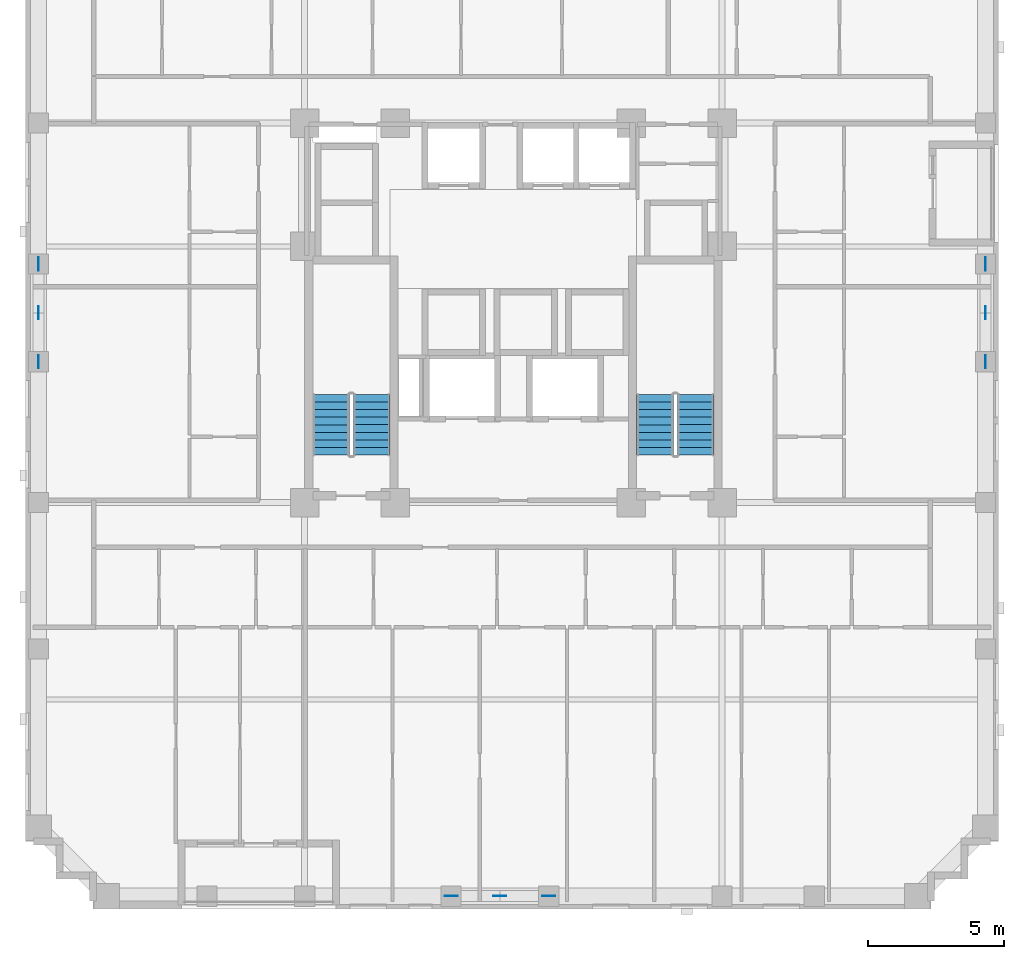
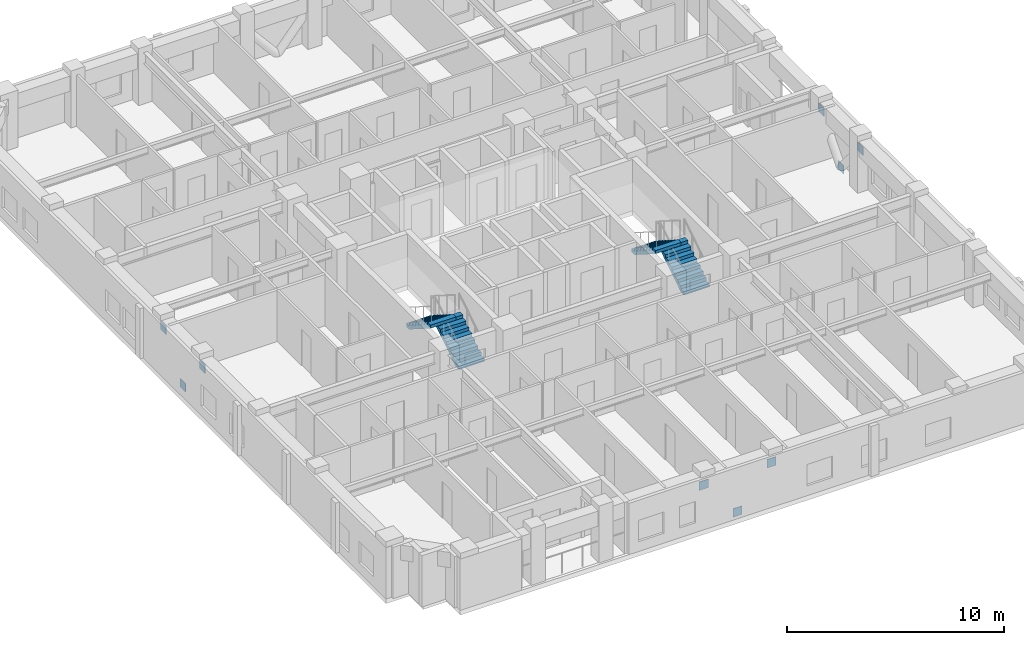
# One storey, part 9 of 12: 9 discrete accessories, 4 stair flights, 2 elements without a shape of their own.
"""IFC4 building model written with IfcOpenShell, lengths in metres."""

from ifc_helpers import new_model, si_unit, derived_unit, direction, frame, origin, origin_2d, place, context, subcontext, project, spatial, polyline, rectangle, outline, extrude, material, layer, layer_set, type_object, element, aggregate, save


model = new_model("IFC4")

# Units and contexts
model_context = context("Model", 3, precision=1e-05, world=origin(), true_north=direction((0.0, 1.0)))
body_context = subcontext(model_context, "Body", "Model", "MODEL_VIEW")
ifc_project = project(units=[si_unit("LENGTHUNIT", "METRE"), si_unit("AREAUNIT", "SQUARE_METRE"), si_unit("VOLUMEUNIT", "CUBIC_METRE"), si_unit("PLANEANGLEUNIT", "RADIAN"), si_unit("MASSUNIT", "GRAM", prefix="KILO"), derived_unit("THERMALTRANSMITTANCEUNIT", [(si_unit("MASSUNIT", "GRAM", prefix="KILO"), 1), (si_unit("TIMEUNIT", "SECOND"), -3), (si_unit("THERMODYNAMICTEMPERATUREUNIT", "KELVIN"), -1)])], contexts=[model_context])

# Site, building, storey
site_placement = place(None, origin())
site = spatial("IfcSite", under=ifc_project, at=site_placement, CompositionType="ELEMENT")
building_placement = place(site_placement, origin())
building = spatial("IfcBuilding", under=site, at=building_placement, Name="Korrvale Station Residences", CompositionType="ELEMENT")
storey_placement = place(building_placement, frame((0.0, 0.0, 116.699951171875)))
storey = spatial("IfcBuildingStorey", under=building, at=storey_placement, Name="L33", CompositionType="ELEMENT", Elevation=116.699951171875)

# Stair, stair flights
ifc_material_1 = material(Name="Concrete C50/60", Category="concrete")
stair_type = type_object("IfcStairType", Name="STR-DL-1350-18R-1778", PredefinedType="HALF_TURN_STAIR", material=ifc_material_1)
stair_1_placement = place(storey_placement, origin())
stair_1 = element("IfcStair", 1, at=stair_1_placement, inside=storey, type_object=stair_type, Name="L33 Exit Stair 1", PredefinedType="HALF_TURN_STAIR")
stair_flight_type = type_object("IfcStairFlightType", Name="FLT-DL-1350-18R-1778", PredefinedType="STRAIGHT", material=ifc_material_1)
stair_flight_1_placement = place(storey_placement, frame((20.27490234375, 16.75, 0.0), z_axis=(0.0, 0.0, 1.0), x_axis=(0.0, 1.0, 0.0)))
stair_flight_1 = element("IfcStairFlight", 2, at=stair_flight_1_placement, type_object=stair_flight_type, Name="ST-1 flight 1", NumberOfRisers=9, NumberOfTreads=8, PredefinedType="STRAIGHT", RiserHeight=0.177777778, TreadLength=0.28, context=body_context, shape_type="SweptSolid", body=[
    extrude(outline(polyline([(0.0, 0.0), (0.0, 0.177734375), (0.280029296875, 0.177734375), (0.280029296875, 0.35546875), (0.56005859375, 0.35546875), (0.56005859375, 0.533447265625), (0.840087890625, 0.533447265625), (0.840087890625, 0.711181640625), (1.1201171875, 0.711181640625), (1.1201171875, 0.888916015625), (1.39990234375, 0.888916015625), (1.39990234375, 1.066650390625), (1.679931640625, 1.066650390625), (1.679931640625, 1.244384765625), (1.9599609375, 1.244384765625), (1.9599609375, 1.422119140625), (2.239990234375, 1.422119140625), (2.239990234375, 1.60009765625), (2.239990234375, 1.24462890625), (0.27978515625, 0.0), (0.0, 0.0)])), frame((0.0, 0.675048828125, 0.0), z_axis=(0.0, -1.0, 0.0), x_axis=(1.0, 0.0, 0.0)), (0.0, 0.0, 1.0), 1.35009765625),
])
stair_flight_2_placement = place(storey_placement, frame((18.77490234375, 18.989990234375, 1.60009765625), z_axis=(0.0, 0.0, 1.0), x_axis=(0.0, -1.0, 0.0)))
stair_flight_2 = element("IfcStairFlight", 3, at=stair_flight_2_placement, type_object=stair_flight_type, Name="ST-1 flight 2", NumberOfRisers=9, NumberOfTreads=8, PredefinedType="STRAIGHT", RiserHeight=0.177777778, TreadLength=0.28, context=body_context, shape_type="SweptSolid", body=[
    extrude(outline(polyline([(0.0, 0.0), (0.0, 0.177734375), (0.280029296875, 0.177734375), (0.280029296875, 0.35546875), (0.56005859375, 0.35546875), (0.56005859375, 0.533447265625), (0.840087890625, 0.533447265625), (0.840087890625, 0.711181640625), (1.1201171875, 0.711181640625), (1.1201171875, 0.888916015625), (1.39990234375, 0.888916015625), (1.39990234375, 1.066650390625), (1.679931640625, 1.066650390625), (1.679931640625, 1.244384765625), (1.9599609375, 1.244384765625), (1.9599609375, 1.422119140625), (2.239990234375, 1.422119140625), (2.239990234375, 1.60009765625), (2.239990234375, 1.24462890625), (0.27978515625, 0.0), (0.0, 0.0)])), frame((0.0, 0.675048828125, 0.0), z_axis=(0.0, -1.0, 0.0), x_axis=(1.0, 0.0, 0.0)), (0.0, 0.0, 1.0), 1.35009765625),
])
aggregate(stair_1, [stair_flight_1, stair_flight_2])

stair_2_placement = place(storey_placement, origin())
stair_2 = element("IfcStair", 4, at=stair_2_placement, inside=storey, type_object=stair_type, Name="L33 Exit Stair 2", PredefinedType="HALF_TURN_STAIR")
stair_flight_3_placement = place(storey_placement, frame((32.22509765625, 16.75, 0.0), z_axis=(0.0, 0.0, 1.0), x_axis=(0.0, 1.0, 0.0)))
stair_flight_3 = element("IfcStairFlight", 5, at=stair_flight_3_placement, type_object=stair_flight_type, Name="ST-2 flight 1", NumberOfRisers=9, NumberOfTreads=8, PredefinedType="STRAIGHT", RiserHeight=0.177777778, TreadLength=0.28, context=body_context, shape_type="SweptSolid", body=[
    extrude(outline(polyline([(0.0, 0.0), (0.0, 0.177734375), (0.280029296875, 0.177734375), (0.280029296875, 0.35546875), (0.56005859375, 0.35546875), (0.56005859375, 0.533447265625), (0.840087890625, 0.533447265625), (0.840087890625, 0.711181640625), (1.1201171875, 0.711181640625), (1.1201171875, 0.888916015625), (1.39990234375, 0.888916015625), (1.39990234375, 1.066650390625), (1.679931640625, 1.066650390625), (1.679931640625, 1.244384765625), (1.9599609375, 1.244384765625), (1.9599609375, 1.422119140625), (2.239990234375, 1.422119140625), (2.239990234375, 1.60009765625), (2.239990234375, 1.24462890625), (0.27978515625, 0.0), (0.0, 0.0)])), frame((0.0, 0.675048828125, 0.0), z_axis=(0.0, -1.0, 0.0), x_axis=(1.0, 0.0, 0.0)), (0.0, 0.0, 1.0), 1.35009765625),
])
stair_flight_4_placement = place(storey_placement, frame((30.72509765625, 18.989990234375, 1.60009765625), z_axis=(0.0, 0.0, 1.0), x_axis=(0.0, -1.0, 0.0)))
stair_flight_4 = element("IfcStairFlight", 6, at=stair_flight_4_placement, type_object=stair_flight_type, Name="ST-2 flight 2", NumberOfRisers=9, NumberOfTreads=8, PredefinedType="STRAIGHT", RiserHeight=0.177777778, TreadLength=0.28, context=body_context, shape_type="SweptSolid", body=[
    extrude(outline(polyline([(0.0, 0.0), (0.0, 0.177734375), (0.280029296875, 0.177734375), (0.280029296875, 0.35546875), (0.56005859375, 0.35546875), (0.56005859375, 0.533447265625), (0.840087890625, 0.533447265625), (0.840087890625, 0.711181640625), (1.1201171875, 0.711181640625), (1.1201171875, 0.888916015625), (1.39990234375, 0.888916015625), (1.39990234375, 1.066650390625), (1.679931640625, 1.066650390625), (1.679931640625, 1.244384765625), (1.9599609375, 1.244384765625), (1.9599609375, 1.422119140625), (2.239990234375, 1.422119140625), (2.239990234375, 1.60009765625), (2.239990234375, 1.24462890625), (0.27978515625, 0.0), (0.0, 0.0)])), frame((0.0, 0.675048828125, 0.0), z_axis=(0.0, -1.0, 0.0), x_axis=(1.0, 0.0, 0.0)), (0.0, 0.0, 1.0), 1.35009765625),
])
aggregate(stair_2, [stair_flight_3, stair_flight_4])

# Discrete accessories
ifc_material_2 = material(Name="Steel S355", Category="steel")
ifc_layer = layer(ifc_material_2, 0.02490234375, Name="Steel S355")
ifc_layer_set = layer_set([ifc_layer], Name="Steel S355")
discrete_accessory_type = type_object("IfcDiscreteAccessoryType", Name="ACC-GUSSET-25", PredefinedType="BRACKET", material=ifc_layer_set)
for number, where, z_axis, x_axis, name in (
    (7, (25.0, 0.47998046875, -0.219970703125), (0.0, 0.0, 1.0), (1.0, 0.0, 0.0), "L33 S Brace End Gusset Connection M"),
    (8, (23.199951171875, 0.47998046875, 1.91015625), (0.0, 0.0, 1.0), (1.0, 0.0, 0.0), "L33 S Brace End Gusset Connection A"),
    (9, (26.800048828125, 0.47998046875, 1.91015625), (0.0, 0.0, 1.0), (1.0, 0.0, 0.0), "L33 S Brace End Gusset Connection B"),
    (10, (7.97998046875, 22.0, -0.219970703125), (0.0, 0.0, 1.0), (0.0, 1.0, 0.0), "L33 W Brace End Gusset Connection M"),
    (11, (7.97998046875, 20.199951171875, 1.91015625), (0.0, 0.0, 1.0), (0.0, 1.0, 0.0), "L33 W Brace End Gusset Connection A"),
    (12, (7.97998046875, 23.800048828125, 1.91015625), (0.0, 0.0, 1.0), (0.0, 1.0, 0.0), "L33 W Brace End Gusset Connection B"),
    (13, (42.919921875, 22.0, -0.219970703125), (0.0, 0.0, 1.0), (0.0, 1.0, 0.0), "L33 E Brace End Gusset Connection M"),
    (14, (42.919921875, 20.199951171875, 1.91015625), (0.0, 0.0, 1.0), (0.0, 1.0, 0.0), "L33 E Brace End Gusset Connection A"),
    (15, (42.919921875, 23.800048828125, 1.91015625), (0.0, 0.0, 1.0), (0.0, 1.0, 0.0), "L33 E Brace End Gusset Connection B"),
):
    element("IfcDiscreteAccessory", number, at=place(storey_placement, frame(where, z_axis=z_axis, x_axis=x_axis)), inside=storey, type_object=discrete_accessory_type, Name=name, PredefinedType="BRACKET", context=body_context, shape_type="SweptSolid", body=[
        extrude(rectangle(XDim=0.47998046875, YDim=0.02490234375, at=origin_2d()), origin(), (0.0, 0.0, 1.0), 0.47998046875),
    ])

save(model, "model.ifc")
